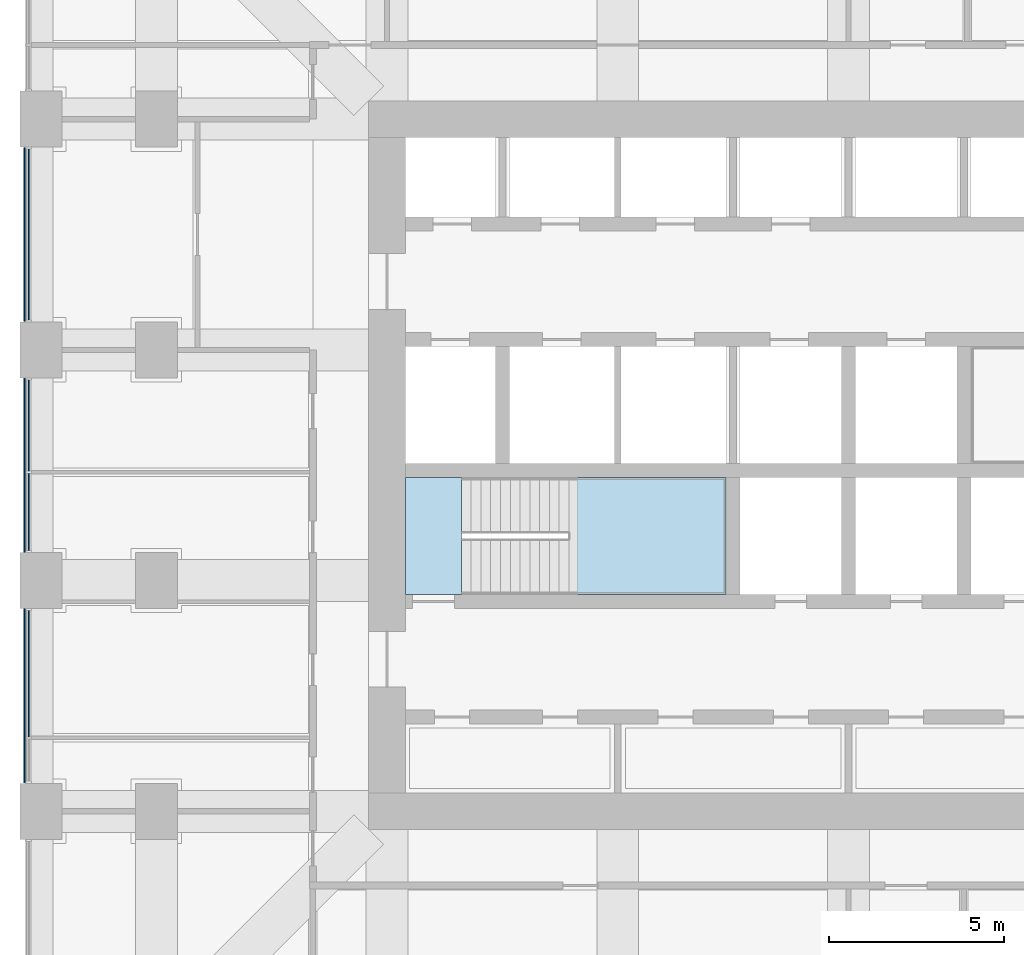
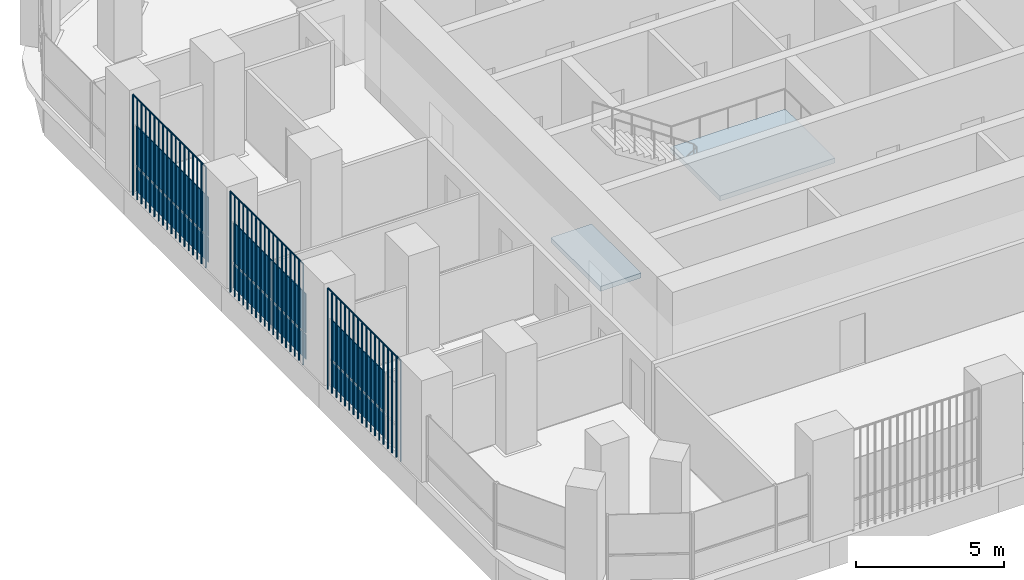
# One storey, part 9 of 19: 11 plates, 2 slabs, 4 elements without a shape of their own.
"""IFC4 building model written with IfcOpenShell, lengths in metres."""

from ifc_helpers import new_model, si_unit, direction, frame, origin, origin_2d, place, context, subcontext, project, spatial, polyline, rectangle, outline, extrude, material, layer, layer_set, type_object, element, aggregate, save


model = new_model("IFC4")

# Units and contexts
model_context = context("Model", 3, precision=1e-05, world=origin(), true_north=direction((0.0, 1.0)))
body_context = subcontext(model_context, "Body", "Model", "MODEL_VIEW")
ifc_project = project(units=[si_unit("LENGTHUNIT", "METRE"), si_unit("AREAUNIT", "SQUARE_METRE"), si_unit("VOLUMEUNIT", "CUBIC_METRE"), si_unit("PLANEANGLEUNIT", "RADIAN"), si_unit("MASSUNIT", "GRAM", prefix="KILO")], contexts=[model_context])

# Site, building, storey
site_placement = place(None, origin())
site = spatial("IfcSite", under=ifc_project, at=site_placement, CompositionType="ELEMENT")
building_placement = place(site_placement, origin())
building = spatial("IfcBuilding", under=site, at=building_placement, Name="Cobogo Forest Laboratory Tower", CompositionType="ELEMENT")
storey_placement = place(building_placement, frame((0.0, 0.0, 172.5)))
storey = spatial("IfcBuildingStorey", under=building, at=storey_placement, Name="L39", CompositionType="ELEMENT", Elevation=172.5)

# Curtain wall, plates
ifc_material_1 = material(Name="Aluminium curtain wall", Category="aluminium")
curtain_wall_type = type_object("IfcCurtainWallType", Name="CW-2 unitised curtain wall, solar control glazing, laboratory floors zones C and D", PredefinedType="USERDEFINED", material=ifc_material_1)
curtain_wall_1_placement = place(storey_placement, origin())
curtain_wall_1 = element("IfcCurtainWall", 1, at=curtain_wall_1_placement, inside=storey, type_object=curtain_wall_type, Name="Curtain wall 25 L39", ObjectType="UNITISED CURTAIN WALL", PredefinedType="USERDEFINED")
ifc_material_2 = material(Name="Solar control insulated glass", Category="glass")
ifc_layer_1 = layer(ifc_material_2, 0.031982421875)
ifc_layer_set_1 = layer_set([ifc_layer_1], Name="GP-2 solar control glass unit 32")
plate_type_1 = type_object("IfcPlateType", Name="GP-2 solar control glass unit 32", PredefinedType="CURTAIN_PANEL", material=ifc_layer_set_1)
plate_1_placement = place(storey_placement, frame((2.949951171875, 29.699951171875, 0.0), z_axis=(0.0, 0.0, 1.0), x_axis=(0.0, -1.0, 0.0)))
plate_1 = element("IfcPlate", 2, at=plate_1_placement, type_object=plate_type_1, Name="CW-2 panel 1.1", PredefinedType="CURTAIN_PANEL", context=body_context, shape_type="SweptSolid", body=[
    extrude(rectangle(XDim=4.8798828125, YDim=0.031982421875, at=origin_2d()), origin(), (0.0, 0.0, 1.0), 1.02001953125),
])
plate_2_placement = place(storey_placement, frame((2.949951171875, 29.699951171875, 1.079833984375), z_axis=(0.0, 0.0, 1.0), x_axis=(0.0, -1.0, 0.0)))
plate_2 = element("IfcPlate", 3, at=plate_2_placement, type_object=plate_type_1, Name="CW-2 panel 1.2", PredefinedType="CURTAIN_PANEL", context=body_context, shape_type="SweptSolid", body=[
    extrude(rectangle(XDim=4.8798828125, YDim=0.031982421875, at=origin_2d()), origin(), (0.0, 0.0, 1.0), 1.6201171875),
])
aggregate(curtain_wall_1, [plate_1, plate_2])

curtain_wall_2_placement = place(storey_placement, origin())
curtain_wall_2 = element("IfcCurtainWall", 4, at=curtain_wall_2_placement, inside=storey, type_object=curtain_wall_type, Name="Curtain wall 26 L39", ObjectType="UNITISED CURTAIN WALL", PredefinedType="USERDEFINED")
plate_3_placement = place(storey_placement, frame((2.949951171875, 24.235107421875, 0.0), z_axis=(0.0, 0.0, 1.0), x_axis=(0.0, -1.0, 0.0)))
plate_3 = element("IfcPlate", 5, at=plate_3_placement, type_object=plate_type_1, Name="CW-2 panel 1.1", PredefinedType="CURTAIN_PANEL", context=body_context, shape_type="SweptSolid", body=[
    extrude(rectangle(XDim=2.610107421875, YDim=0.031982421875, at=origin_2d()), origin(), (0.0, 0.0, 1.0), 1.02001953125),
])
plate_4_placement = place(storey_placement, frame((2.949951171875, 24.235107421875, 1.079833984375), z_axis=(0.0, 0.0, 1.0), x_axis=(0.0, -1.0, 0.0)))
plate_4 = element("IfcPlate", 6, at=plate_4_placement, type_object=plate_type_1, Name="CW-2 panel 1.2", PredefinedType="CURTAIN_PANEL", context=body_context, shape_type="SweptSolid", body=[
    extrude(rectangle(XDim=2.610107421875, YDim=0.031982421875, at=origin_2d()), origin(), (0.0, 0.0, 1.0), 1.6201171875),
])
plate_5_placement = place(storey_placement, frame((2.949951171875, 21.764892578125, 0.0), z_axis=(0.0, 0.0, 1.0), x_axis=(0.0, -1.0, 0.0)))
plate_5 = element("IfcPlate", 7, at=plate_5_placement, type_object=plate_type_1, Name="CW-2 panel 2.1", PredefinedType="CURTAIN_PANEL", context=body_context, shape_type="SweptSolid", body=[
    extrude(rectangle(XDim=2.2099609375, YDim=0.031982421875, at=origin_2d()), origin(), (0.0, 0.0, 1.0), 1.02001953125),
])
plate_6_placement = place(storey_placement, frame((2.949951171875, 21.764892578125, 1.079833984375), z_axis=(0.0, 0.0, 1.0), x_axis=(0.0, -1.0, 0.0)))
plate_6 = element("IfcPlate", 8, at=plate_6_placement, type_object=plate_type_1, Name="CW-2 panel 2.2", PredefinedType="CURTAIN_PANEL", context=body_context, shape_type="SweptSolid", body=[
    extrude(rectangle(XDim=2.2099609375, YDim=0.031982421875, at=origin_2d()), origin(), (0.0, 0.0, 1.0), 1.6201171875),
])
aggregate(curtain_wall_2, [plate_3, plate_4, plate_5, plate_6])

curtain_wall_3_placement = place(storey_placement, origin())
curtain_wall_3 = element("IfcCurtainWall", 9, at=curtain_wall_3_placement, inside=storey, type_object=curtain_wall_type, Name="Curtain wall 27 L39", ObjectType="UNITISED CURTAIN WALL", PredefinedType="USERDEFINED")
plate_7_placement = place(storey_placement, frame((2.949951171875, 17.135009765625, 0.0), z_axis=(0.0, 0.0, 1.0), x_axis=(0.0, -1.0, 0.0)))
plate_7 = element("IfcPlate", 10, at=plate_7_placement, type_object=plate_type_1, Name="CW-2 panel 1.1", PredefinedType="CURTAIN_PANEL", context=body_context, shape_type="SweptSolid", body=[
    extrude(rectangle(XDim=3.610107421875, YDim=0.031982421875, at=origin_2d()), origin(), (0.0, 0.0, 1.0), 1.02001953125),
])
plate_8_placement = place(storey_placement, frame((2.949951171875, 17.135009765625, 1.079833984375), z_axis=(0.0, 0.0, 1.0), x_axis=(0.0, -1.0, 0.0)))
plate_8 = element("IfcPlate", 11, at=plate_8_placement, type_object=plate_type_1, Name="CW-2 panel 1.2", PredefinedType="CURTAIN_PANEL", context=body_context, shape_type="SweptSolid", body=[
    extrude(rectangle(XDim=3.610107421875, YDim=0.031982421875, at=origin_2d()), origin(), (0.0, 0.0, 1.0), 1.6201171875),
])
aggregate(curtain_wall_3, [plate_7, plate_8])

# Stair, slabs
ifc_material_3 = material(Name="Precast concrete HA-40 (C40/50)", Category="concrete")
stair_type = type_object("IfcStairType", Name="ST24 exit stair 24 risers", PredefinedType="HALF_TURN_STAIR", material=ifc_material_3)
stair_placement = place(storey_placement, origin())
stair = element("IfcStair", 12, at=stair_placement, inside=storey, type_object=stair_type, Name="Stair 1 L39 to L40", PredefinedType="HALF_TURN_STAIR")
ifc_material_4 = material(Name="Concrete HA-40 (C40/50)", Category="concrete")
ifc_layer_2 = layer(ifc_material_4, 0.199951171875)
ifc_layer_set_2 = layer_set([ifc_layer_2], Name="SL stair landing 200")
slab_type = type_object("IfcSlabType", Name="SL stair landing 200", PredefinedType="LANDING", material=ifc_layer_set_2)
slab_1_placement = place(storey_placement, frame((0.0, 0.0, -0.199951171875)))
slab_1 = element("IfcSlab", 13, at=slab_1_placement, type_object=slab_type, Name="ST1 landing 1", PredefinedType="LANDING", context=body_context, shape_type="SweptSolid", body=[
    extrude(outline(polyline([(13.72509765625, 19.39990234375), (15.326904296875, 19.39990234375), (15.326904296875, 22.75), (13.72509765625, 22.75), (13.72509765625, 19.39990234375)])), origin(), (0.0, 0.0, 1.0), 0.199951171875),
])
slab_2_placement = place(storey_placement, frame((0.0, 0.0, 1.89990234375)))
slab_2 = element("IfcSlab", 14, at=slab_2_placement, type_object=slab_type, Name="ST1 landing 2", PredefinedType="LANDING", context=body_context, shape_type="SweptSolid", body=[
    extrude(outline(polyline([(18.403076171875, 19.39990234375), (22.89990234375, 19.39990234375), (22.89990234375, 22.75), (18.403076171875, 22.75), (18.403076171875, 19.39990234375)])), origin(), (0.0, 0.0, 1.0), 0.2001953125),
])
aggregate(stair, [slab_1, slab_2])

# Plates
ifc_material_5 = material(Name="Terracotta", Category="masonry")
plate_type_2 = type_object("IfcPlateType", Name="TB1 terracotta baguette screen", PredefinedType="USERDEFINED", material=ifc_material_5)
plate_9_placement = place(storey_placement, frame((2.822021484375, 14.03125, -0.14990234375)))
element("IfcPlate", 15, at=plate_9_placement, inside=storey, type_object=plate_type_2, Name="Baguette screen W1 L39", ObjectType="BAGUETTE SCREEN", PredefinedType="USERDEFINED", context=body_context, shape_type="SweptSolid", body=[
    extrude(outline(polyline([(0.02880859375, 0.011962890625), (0.011962890625, 0.02880859375), (-0.011962890625, 0.02880859375), (-0.02880859375, 0.011962890625), (-0.02880859375, -0.011962890625), (-0.011962890625, -0.02880859375), (0.011962890625, -0.02880859375), (0.02880859375, -0.011962890625), (0.02880859375, 0.011962890625)])), frame((0.0, 0.0, 4.168701171875), z_axis=(0.0, 1.0, 0.0), x_axis=(-1.0, 0.0, 0.0)), (0.0, 0.0, 1.0), 4.9375),
    extrude(outline(polyline([(0.02880859375, 0.011962890625), (0.011962890625, 0.02880859375), (-0.011962890625, 0.02880859375), (-0.02880859375, 0.011962890625), (-0.02880859375, -0.011962890625), (-0.011962890625, -0.02880859375), (0.011962890625, -0.02880859375), (0.02880859375, -0.011962890625), (0.02880859375, 0.011962890625)])), origin(), (0.0, 0.0, 1.0), 4.137451171875),
    extrude(outline(polyline([(0.02880859375, 0.011962890625), (0.011962890625, 0.02880859375), (-0.011962890625, 0.02880859375), (-0.02880859375, 0.011962890625), (-0.02880859375, -0.011962890625), (-0.011962890625, -0.02880859375), (0.011962890625, -0.02880859375), (0.02880859375, -0.011962890625), (0.02880859375, 0.011962890625)])), frame((0.0, 0.29052734375, 0.0)), (0.0, 0.0, 1.0), 4.137451171875),
    extrude(outline(polyline([(0.02880859375, 0.011962890625), (0.011962890625, 0.02880859375), (-0.011962890625, 0.02880859375), (-0.02880859375, 0.011962890625), (-0.02880859375, -0.011962890625), (-0.011962890625, -0.02880859375), (0.011962890625, -0.02880859375), (0.02880859375, -0.011962890625), (0.02880859375, 0.011962890625)])), frame((0.0, 0.580810546875, 0.0)), (0.0, 0.0, 1.0), 4.137451171875),
    extrude(outline(polyline([(0.02880859375, 0.011962890625), (0.011962890625, 0.02880859375), (-0.011962890625, 0.02880859375), (-0.02880859375, 0.011962890625), (-0.02880859375, -0.011962890625), (-0.011962890625, -0.02880859375), (0.011962890625, -0.02880859375), (0.02880859375, -0.011962890625), (0.02880859375, 0.011962890625)])), frame((0.0, 0.871337890625, 0.0)), (0.0, 0.0, 1.0), 4.137451171875),
    extrude(outline(polyline([(0.02880859375, 0.011962890625), (0.011962890625, 0.02880859375), (-0.011962890625, 0.02880859375), (-0.02880859375, 0.011962890625), (-0.02880859375, -0.011962890625), (-0.011962890625, -0.02880859375), (0.011962890625, -0.02880859375), (0.02880859375, -0.011962890625), (0.02880859375, 0.011962890625)])), frame((0.0, 1.161865234375, 0.0)), (0.0, 0.0, 1.0), 4.137451171875),
    extrude(outline(polyline([(0.02880859375, 0.011962890625), (0.011962890625, 0.02880859375), (-0.011962890625, 0.02880859375), (-0.02880859375, 0.011962890625), (-0.02880859375, -0.011962890625), (-0.011962890625, -0.02880859375), (0.011962890625, -0.02880859375), (0.02880859375, -0.011962890625), (0.02880859375, 0.011962890625)])), frame((0.0, 1.4521484375, 0.0)), (0.0, 0.0, 1.0), 4.137451171875),
    extrude(outline(polyline([(0.02880859375, 0.011962890625), (0.011962890625, 0.02880859375), (-0.011962890625, 0.02880859375), (-0.02880859375, 0.011962890625), (-0.02880859375, -0.011962890625), (-0.011962890625, -0.02880859375), (0.011962890625, -0.02880859375), (0.02880859375, -0.011962890625), (0.02880859375, 0.011962890625)])), frame((0.0, 1.74267578125, 0.0)), (0.0, 0.0, 1.0), 4.137451171875),
    extrude(outline(polyline([(0.02880859375, 0.011962890625), (0.011962890625, 0.02880859375), (-0.011962890625, 0.02880859375), (-0.02880859375, 0.011962890625), (-0.02880859375, -0.011962890625), (-0.011962890625, -0.02880859375), (0.011962890625, -0.02880859375), (0.02880859375, -0.011962890625), (0.02880859375, 0.011962890625)])), frame((0.0, 2.033203125, 0.0)), (0.0, 0.0, 1.0), 4.137451171875),
    extrude(outline(polyline([(0.02880859375, 0.011962890625), (0.011962890625, 0.02880859375), (-0.011962890625, 0.02880859375), (-0.02880859375, 0.011962890625), (-0.02880859375, -0.011962890625), (-0.011962890625, -0.02880859375), (0.011962890625, -0.02880859375), (0.02880859375, -0.011962890625), (0.02880859375, 0.011962890625)])), frame((0.0, 2.323486328125, 0.0)), (0.0, 0.0, 1.0), 4.137451171875),
    extrude(outline(polyline([(0.02880859375, 0.011962890625), (0.011962890625, 0.02880859375), (-0.011962890625, 0.02880859375), (-0.02880859375, 0.011962890625), (-0.02880859375, -0.011962890625), (-0.011962890625, -0.02880859375), (0.011962890625, -0.02880859375), (0.02880859375, -0.011962890625), (0.02880859375, 0.011962890625)])), frame((0.0, 2.614013671875, 0.0)), (0.0, 0.0, 1.0), 4.137451171875),
    extrude(outline(polyline([(0.02880859375, 0.011962890625), (0.011962890625, 0.02880859375), (-0.011962890625, 0.02880859375), (-0.02880859375, 0.011962890625), (-0.02880859375, -0.011962890625), (-0.011962890625, -0.02880859375), (0.011962890625, -0.02880859375), (0.02880859375, -0.011962890625), (0.02880859375, 0.011962890625)])), frame((0.0, 2.904296875, 0.0)), (0.0, 0.0, 1.0), 4.137451171875),
    extrude(outline(polyline([(0.02880859375, 0.011962890625), (0.011962890625, 0.02880859375), (-0.011962890625, 0.02880859375), (-0.02880859375, 0.011962890625), (-0.02880859375, -0.011962890625), (-0.011962890625, -0.02880859375), (0.011962890625, -0.02880859375), (0.02880859375, -0.011962890625), (0.02880859375, 0.011962890625)])), frame((0.0, 3.19482421875, 0.0)), (0.0, 0.0, 1.0), 4.137451171875),
    extrude(outline(polyline([(0.02880859375, 0.011962890625), (0.011962890625, 0.02880859375), (-0.011962890625, 0.02880859375), (-0.02880859375, 0.011962890625), (-0.02880859375, -0.011962890625), (-0.011962890625, -0.02880859375), (0.011962890625, -0.02880859375), (0.02880859375, -0.011962890625), (0.02880859375, 0.011962890625)])), frame((0.0, 3.4853515625, 0.0)), (0.0, 0.0, 1.0), 4.137451171875),
    extrude(outline(polyline([(0.02880859375, 0.011962890625), (0.011962890625, 0.02880859375), (-0.011962890625, 0.02880859375), (-0.02880859375, 0.011962890625), (-0.02880859375, -0.011962890625), (-0.011962890625, -0.02880859375), (0.011962890625, -0.02880859375), (0.02880859375, -0.011962890625), (0.02880859375, 0.011962890625)])), frame((0.0, 3.775634765625, 0.0)), (0.0, 0.0, 1.0), 4.137451171875),
    extrude(outline(polyline([(0.02880859375, 0.011962890625), (0.011962890625, 0.02880859375), (-0.011962890625, 0.02880859375), (-0.02880859375, 0.011962890625), (-0.02880859375, -0.011962890625), (-0.011962890625, -0.02880859375), (0.011962890625, -0.02880859375), (0.02880859375, -0.011962890625), (0.02880859375, 0.011962890625)])), frame((0.0, 4.066162109375, 0.0)), (0.0, 0.0, 1.0), 4.137451171875),
    extrude(outline(polyline([(0.02880859375, 0.011962890625), (0.011962890625, 0.02880859375), (-0.011962890625, 0.02880859375), (-0.02880859375, 0.011962890625), (-0.02880859375, -0.011962890625), (-0.011962890625, -0.02880859375), (0.011962890625, -0.02880859375), (0.02880859375, -0.011962890625), (0.02880859375, 0.011962890625)])), frame((0.0, 4.356689453125, 0.0)), (0.0, 0.0, 1.0), 4.137451171875),
    extrude(outline(polyline([(0.02880859375, 0.011962890625), (0.011962890625, 0.02880859375), (-0.011962890625, 0.02880859375), (-0.02880859375, 0.011962890625), (-0.02880859375, -0.011962890625), (-0.011962890625, -0.02880859375), (0.011962890625, -0.02880859375), (0.02880859375, -0.011962890625), (0.02880859375, 0.011962890625)])), frame((0.0, 4.64697265625, 0.0)), (0.0, 0.0, 1.0), 4.137451171875),
    extrude(outline(polyline([(0.02880859375, 0.011962890625), (0.011962890625, 0.02880859375), (-0.011962890625, 0.02880859375), (-0.02880859375, 0.011962890625), (-0.02880859375, -0.011962890625), (-0.011962890625, -0.02880859375), (0.011962890625, -0.02880859375), (0.02880859375, -0.011962890625), (0.02880859375, 0.011962890625)])), frame((0.0, 4.9375, 0.0)), (0.0, 0.0, 1.0), 4.137451171875),
])
plate_10_placement = place(storey_placement, frame((2.822021484375, 20.63134765625, -0.14990234375)))
element("IfcPlate", 16, at=plate_10_placement, inside=storey, type_object=plate_type_2, Name="Baguette screen W2 L39", ObjectType="BAGUETTE SCREEN", PredefinedType="USERDEFINED", context=body_context, shape_type="SweptSolid", body=[
    extrude(outline(polyline([(0.02880859375, 0.011962890625), (0.011962890625, 0.02880859375), (-0.011962890625, 0.02880859375), (-0.02880859375, 0.011962890625), (-0.02880859375, -0.011962890625), (-0.011962890625, -0.02880859375), (0.011962890625, -0.02880859375), (0.02880859375, -0.011962890625), (0.02880859375, 0.011962890625)])), frame((0.0, 0.0, 4.168701171875), z_axis=(0.0, 1.0, 0.0), x_axis=(-1.0, 0.0, 0.0)), (0.0, 0.0, 1.0), 4.9375),
    extrude(outline(polyline([(0.02880859375, 0.011962890625), (0.011962890625, 0.02880859375), (-0.011962890625, 0.02880859375), (-0.02880859375, 0.011962890625), (-0.02880859375, -0.011962890625), (-0.011962890625, -0.02880859375), (0.011962890625, -0.02880859375), (0.02880859375, -0.011962890625), (0.02880859375, 0.011962890625)])), origin(), (0.0, 0.0, 1.0), 4.137451171875),
    extrude(outline(polyline([(0.02880859375, 0.011962890625), (0.011962890625, 0.02880859375), (-0.011962890625, 0.02880859375), (-0.02880859375, 0.011962890625), (-0.02880859375, -0.011962890625), (-0.011962890625, -0.02880859375), (0.011962890625, -0.02880859375), (0.02880859375, -0.011962890625), (0.02880859375, 0.011962890625)])), frame((0.0, 0.29052734375, 0.0)), (0.0, 0.0, 1.0), 4.137451171875),
    extrude(outline(polyline([(0.02880859375, 0.011962890625), (0.011962890625, 0.02880859375), (-0.011962890625, 0.02880859375), (-0.02880859375, 0.011962890625), (-0.02880859375, -0.011962890625), (-0.011962890625, -0.02880859375), (0.011962890625, -0.02880859375), (0.02880859375, -0.011962890625), (0.02880859375, 0.011962890625)])), frame((0.0, 0.580810546875, 0.0)), (0.0, 0.0, 1.0), 4.137451171875),
    extrude(outline(polyline([(0.02880859375, 0.011962890625), (0.011962890625, 0.02880859375), (-0.011962890625, 0.02880859375), (-0.02880859375, 0.011962890625), (-0.02880859375, -0.011962890625), (-0.011962890625, -0.02880859375), (0.011962890625, -0.02880859375), (0.02880859375, -0.011962890625), (0.02880859375, 0.011962890625)])), frame((0.0, 0.871337890625, 0.0)), (0.0, 0.0, 1.0), 4.137451171875),
    extrude(outline(polyline([(0.02880859375, 0.011962890625), (0.011962890625, 0.02880859375), (-0.011962890625, 0.02880859375), (-0.02880859375, 0.011962890625), (-0.02880859375, -0.011962890625), (-0.011962890625, -0.02880859375), (0.011962890625, -0.02880859375), (0.02880859375, -0.011962890625), (0.02880859375, 0.011962890625)])), frame((0.0, 1.161865234375, 0.0)), (0.0, 0.0, 1.0), 4.137451171875),
    extrude(outline(polyline([(0.02880859375, 0.011962890625), (0.011962890625, 0.02880859375), (-0.011962890625, 0.02880859375), (-0.02880859375, 0.011962890625), (-0.02880859375, -0.011962890625), (-0.011962890625, -0.02880859375), (0.011962890625, -0.02880859375), (0.02880859375, -0.011962890625), (0.02880859375, 0.011962890625)])), frame((0.0, 1.4521484375, 0.0)), (0.0, 0.0, 1.0), 4.137451171875),
    extrude(outline(polyline([(0.02880859375, 0.011962890625), (0.011962890625, 0.02880859375), (-0.011962890625, 0.02880859375), (-0.02880859375, 0.011962890625), (-0.02880859375, -0.011962890625), (-0.011962890625, -0.02880859375), (0.011962890625, -0.02880859375), (0.02880859375, -0.011962890625), (0.02880859375, 0.011962890625)])), frame((0.0, 1.74267578125, 0.0)), (0.0, 0.0, 1.0), 4.137451171875),
    extrude(outline(polyline([(0.02880859375, 0.011962890625), (0.011962890625, 0.02880859375), (-0.011962890625, 0.02880859375), (-0.02880859375, 0.011962890625), (-0.02880859375, -0.011962890625), (-0.011962890625, -0.02880859375), (0.011962890625, -0.02880859375), (0.02880859375, -0.011962890625), (0.02880859375, 0.011962890625)])), frame((0.0, 2.033203125, 0.0)), (0.0, 0.0, 1.0), 4.137451171875),
    extrude(outline(polyline([(0.02880859375, 0.011962890625), (0.011962890625, 0.02880859375), (-0.011962890625, 0.02880859375), (-0.02880859375, 0.011962890625), (-0.02880859375, -0.011962890625), (-0.011962890625, -0.02880859375), (0.011962890625, -0.02880859375), (0.02880859375, -0.011962890625), (0.02880859375, 0.011962890625)])), frame((0.0, 2.323486328125, 0.0)), (0.0, 0.0, 1.0), 4.137451171875),
    extrude(outline(polyline([(0.02880859375, 0.011962890625), (0.011962890625, 0.02880859375), (-0.011962890625, 0.02880859375), (-0.02880859375, 0.011962890625), (-0.02880859375, -0.011962890625), (-0.011962890625, -0.02880859375), (0.011962890625, -0.02880859375), (0.02880859375, -0.011962890625), (0.02880859375, 0.011962890625)])), frame((0.0, 2.614013671875, 0.0)), (0.0, 0.0, 1.0), 4.137451171875),
    extrude(outline(polyline([(0.02880859375, 0.011962890625), (0.011962890625, 0.02880859375), (-0.011962890625, 0.02880859375), (-0.02880859375, 0.011962890625), (-0.02880859375, -0.011962890625), (-0.011962890625, -0.02880859375), (0.011962890625, -0.02880859375), (0.02880859375, -0.011962890625), (0.02880859375, 0.011962890625)])), frame((0.0, 2.904296875, 0.0)), (0.0, 0.0, 1.0), 4.137451171875),
    extrude(outline(polyline([(0.02880859375, 0.011962890625), (0.011962890625, 0.02880859375), (-0.011962890625, 0.02880859375), (-0.02880859375, 0.011962890625), (-0.02880859375, -0.011962890625), (-0.011962890625, -0.02880859375), (0.011962890625, -0.02880859375), (0.02880859375, -0.011962890625), (0.02880859375, 0.011962890625)])), frame((0.0, 3.19482421875, 0.0)), (0.0, 0.0, 1.0), 4.137451171875),
    extrude(outline(polyline([(0.02880859375, 0.011962890625), (0.011962890625, 0.02880859375), (-0.011962890625, 0.02880859375), (-0.02880859375, 0.011962890625), (-0.02880859375, -0.011962890625), (-0.011962890625, -0.02880859375), (0.011962890625, -0.02880859375), (0.02880859375, -0.011962890625), (0.02880859375, 0.011962890625)])), frame((0.0, 3.4853515625, 0.0)), (0.0, 0.0, 1.0), 4.137451171875),
    extrude(outline(polyline([(0.02880859375, 0.011962890625), (0.011962890625, 0.02880859375), (-0.011962890625, 0.02880859375), (-0.02880859375, 0.011962890625), (-0.02880859375, -0.011962890625), (-0.011962890625, -0.02880859375), (0.011962890625, -0.02880859375), (0.02880859375, -0.011962890625), (0.02880859375, 0.011962890625)])), frame((0.0, 3.775634765625, 0.0)), (0.0, 0.0, 1.0), 4.137451171875),
    extrude(outline(polyline([(0.02880859375, 0.011962890625), (0.011962890625, 0.02880859375), (-0.011962890625, 0.02880859375), (-0.02880859375, 0.011962890625), (-0.02880859375, -0.011962890625), (-0.011962890625, -0.02880859375), (0.011962890625, -0.02880859375), (0.02880859375, -0.011962890625), (0.02880859375, 0.011962890625)])), frame((0.0, 4.066162109375, 0.0)), (0.0, 0.0, 1.0), 4.137451171875),
    extrude(outline(polyline([(0.02880859375, 0.011962890625), (0.011962890625, 0.02880859375), (-0.011962890625, 0.02880859375), (-0.02880859375, 0.011962890625), (-0.02880859375, -0.011962890625), (-0.011962890625, -0.02880859375), (0.011962890625, -0.02880859375), (0.02880859375, -0.011962890625), (0.02880859375, 0.011962890625)])), frame((0.0, 4.356689453125, 0.0)), (0.0, 0.0, 1.0), 4.137451171875),
    extrude(outline(polyline([(0.02880859375, 0.011962890625), (0.011962890625, 0.02880859375), (-0.011962890625, 0.02880859375), (-0.02880859375, 0.011962890625), (-0.02880859375, -0.011962890625), (-0.011962890625, -0.02880859375), (0.011962890625, -0.02880859375), (0.02880859375, -0.011962890625), (0.02880859375, 0.011962890625)])), frame((0.0, 4.64697265625, 0.0)), (0.0, 0.0, 1.0), 4.137451171875),
    extrude(outline(polyline([(0.02880859375, 0.011962890625), (0.011962890625, 0.02880859375), (-0.011962890625, 0.02880859375), (-0.02880859375, 0.011962890625), (-0.02880859375, -0.011962890625), (-0.011962890625, -0.02880859375), (0.011962890625, -0.02880859375), (0.02880859375, -0.011962890625), (0.02880859375, 0.011962890625)])), frame((0.0, 4.9375, 0.0)), (0.0, 0.0, 1.0), 4.137451171875),
])
plate_11_placement = place(storey_placement, frame((2.822021484375, 27.231201171875, -0.14990234375)))
element("IfcPlate", 17, at=plate_11_placement, inside=storey, type_object=plate_type_2, Name="Baguette screen W3 L39", ObjectType="BAGUETTE SCREEN", PredefinedType="USERDEFINED", context=body_context, shape_type="SweptSolid", body=[
    extrude(outline(polyline([(0.02880859375, 0.011962890625), (0.011962890625, 0.02880859375), (-0.011962890625, 0.02880859375), (-0.02880859375, 0.011962890625), (-0.02880859375, -0.011962890625), (-0.011962890625, -0.02880859375), (0.011962890625, -0.02880859375), (0.02880859375, -0.011962890625), (0.02880859375, 0.011962890625)])), frame((0.0, 0.0, 4.168701171875), z_axis=(0.0, 1.0, 0.0), x_axis=(-1.0, 0.0, 0.0)), (0.0, 0.0, 1.0), 4.9375),
    extrude(outline(polyline([(0.02880859375, 0.011962890625), (0.011962890625, 0.02880859375), (-0.011962890625, 0.02880859375), (-0.02880859375, 0.011962890625), (-0.02880859375, -0.011962890625), (-0.011962890625, -0.02880859375), (0.011962890625, -0.02880859375), (0.02880859375, -0.011962890625), (0.02880859375, 0.011962890625)])), origin(), (0.0, 0.0, 1.0), 4.137451171875),
    extrude(outline(polyline([(0.02880859375, 0.011962890625), (0.011962890625, 0.02880859375), (-0.011962890625, 0.02880859375), (-0.02880859375, 0.011962890625), (-0.02880859375, -0.011962890625), (-0.011962890625, -0.02880859375), (0.011962890625, -0.02880859375), (0.02880859375, -0.011962890625), (0.02880859375, 0.011962890625)])), frame((0.0, 0.29052734375, 0.0)), (0.0, 0.0, 1.0), 4.137451171875),
    extrude(outline(polyline([(0.02880859375, 0.011962890625), (0.011962890625, 0.02880859375), (-0.011962890625, 0.02880859375), (-0.02880859375, 0.011962890625), (-0.02880859375, -0.011962890625), (-0.011962890625, -0.02880859375), (0.011962890625, -0.02880859375), (0.02880859375, -0.011962890625), (0.02880859375, 0.011962890625)])), frame((0.0, 0.580810546875, 0.0)), (0.0, 0.0, 1.0), 4.137451171875),
    extrude(outline(polyline([(0.02880859375, 0.011962890625), (0.011962890625, 0.02880859375), (-0.011962890625, 0.02880859375), (-0.02880859375, 0.011962890625), (-0.02880859375, -0.011962890625), (-0.011962890625, -0.02880859375), (0.011962890625, -0.02880859375), (0.02880859375, -0.011962890625), (0.02880859375, 0.011962890625)])), frame((0.0, 0.871337890625, 0.0)), (0.0, 0.0, 1.0), 4.137451171875),
    extrude(outline(polyline([(0.02880859375, 0.011962890625), (0.011962890625, 0.02880859375), (-0.011962890625, 0.02880859375), (-0.02880859375, 0.011962890625), (-0.02880859375, -0.011962890625), (-0.011962890625, -0.02880859375), (0.011962890625, -0.02880859375), (0.02880859375, -0.011962890625), (0.02880859375, 0.011962890625)])), frame((0.0, 1.161865234375, 0.0)), (0.0, 0.0, 1.0), 4.137451171875),
    extrude(outline(polyline([(0.02880859375, 0.011962890625), (0.011962890625, 0.02880859375), (-0.011962890625, 0.02880859375), (-0.02880859375, 0.011962890625), (-0.02880859375, -0.011962890625), (-0.011962890625, -0.02880859375), (0.011962890625, -0.02880859375), (0.02880859375, -0.011962890625), (0.02880859375, 0.011962890625)])), frame((0.0, 1.4521484375, 0.0)), (0.0, 0.0, 1.0), 4.137451171875),
    extrude(outline(polyline([(0.02880859375, 0.011962890625), (0.011962890625, 0.02880859375), (-0.011962890625, 0.02880859375), (-0.02880859375, 0.011962890625), (-0.02880859375, -0.011962890625), (-0.011962890625, -0.02880859375), (0.011962890625, -0.02880859375), (0.02880859375, -0.011962890625), (0.02880859375, 0.011962890625)])), frame((0.0, 1.74267578125, 0.0)), (0.0, 0.0, 1.0), 4.137451171875),
    extrude(outline(polyline([(0.02880859375, 0.011962890625), (0.011962890625, 0.02880859375), (-0.011962890625, 0.02880859375), (-0.02880859375, 0.011962890625), (-0.02880859375, -0.011962890625), (-0.011962890625, -0.02880859375), (0.011962890625, -0.02880859375), (0.02880859375, -0.011962890625), (0.02880859375, 0.011962890625)])), frame((0.0, 2.033203125, 0.0)), (0.0, 0.0, 1.0), 4.137451171875),
    extrude(outline(polyline([(0.02880859375, 0.011962890625), (0.011962890625, 0.02880859375), (-0.011962890625, 0.02880859375), (-0.02880859375, 0.011962890625), (-0.02880859375, -0.011962890625), (-0.011962890625, -0.02880859375), (0.011962890625, -0.02880859375), (0.02880859375, -0.011962890625), (0.02880859375, 0.011962890625)])), frame((0.0, 2.323486328125, 0.0)), (0.0, 0.0, 1.0), 4.137451171875),
    extrude(outline(polyline([(0.02880859375, 0.011962890625), (0.011962890625, 0.02880859375), (-0.011962890625, 0.02880859375), (-0.02880859375, 0.011962890625), (-0.02880859375, -0.011962890625), (-0.011962890625, -0.02880859375), (0.011962890625, -0.02880859375), (0.02880859375, -0.011962890625), (0.02880859375, 0.011962890625)])), frame((0.0, 2.614013671875, 0.0)), (0.0, 0.0, 1.0), 4.137451171875),
    extrude(outline(polyline([(0.02880859375, 0.011962890625), (0.011962890625, 0.02880859375), (-0.011962890625, 0.02880859375), (-0.02880859375, 0.011962890625), (-0.02880859375, -0.011962890625), (-0.011962890625, -0.02880859375), (0.011962890625, -0.02880859375), (0.02880859375, -0.011962890625), (0.02880859375, 0.011962890625)])), frame((0.0, 2.904296875, 0.0)), (0.0, 0.0, 1.0), 4.137451171875),
    extrude(outline(polyline([(0.02880859375, 0.011962890625), (0.011962890625, 0.02880859375), (-0.011962890625, 0.02880859375), (-0.02880859375, 0.011962890625), (-0.02880859375, -0.011962890625), (-0.011962890625, -0.02880859375), (0.011962890625, -0.02880859375), (0.02880859375, -0.011962890625), (0.02880859375, 0.011962890625)])), frame((0.0, 3.19482421875, 0.0)), (0.0, 0.0, 1.0), 4.137451171875),
    extrude(outline(polyline([(0.02880859375, 0.011962890625), (0.011962890625, 0.02880859375), (-0.011962890625, 0.02880859375), (-0.02880859375, 0.011962890625), (-0.02880859375, -0.011962890625), (-0.011962890625, -0.02880859375), (0.011962890625, -0.02880859375), (0.02880859375, -0.011962890625), (0.02880859375, 0.011962890625)])), frame((0.0, 3.4853515625, 0.0)), (0.0, 0.0, 1.0), 4.137451171875),
    extrude(outline(polyline([(0.02880859375, 0.011962890625), (0.011962890625, 0.02880859375), (-0.011962890625, 0.02880859375), (-0.02880859375, 0.011962890625), (-0.02880859375, -0.011962890625), (-0.011962890625, -0.02880859375), (0.011962890625, -0.02880859375), (0.02880859375, -0.011962890625), (0.02880859375, 0.011962890625)])), frame((0.0, 3.775634765625, 0.0)), (0.0, 0.0, 1.0), 4.137451171875),
    extrude(outline(polyline([(0.02880859375, 0.011962890625), (0.011962890625, 0.02880859375), (-0.011962890625, 0.02880859375), (-0.02880859375, 0.011962890625), (-0.02880859375, -0.011962890625), (-0.011962890625, -0.02880859375), (0.011962890625, -0.02880859375), (0.02880859375, -0.011962890625), (0.02880859375, 0.011962890625)])), frame((0.0, 4.066162109375, 0.0)), (0.0, 0.0, 1.0), 4.137451171875),
    extrude(outline(polyline([(0.02880859375, 0.011962890625), (0.011962890625, 0.02880859375), (-0.011962890625, 0.02880859375), (-0.02880859375, 0.011962890625), (-0.02880859375, -0.011962890625), (-0.011962890625, -0.02880859375), (0.011962890625, -0.02880859375), (0.02880859375, -0.011962890625), (0.02880859375, 0.011962890625)])), frame((0.0, 4.356689453125, 0.0)), (0.0, 0.0, 1.0), 4.137451171875),
    extrude(outline(polyline([(0.02880859375, 0.011962890625), (0.011962890625, 0.02880859375), (-0.011962890625, 0.02880859375), (-0.02880859375, 0.011962890625), (-0.02880859375, -0.011962890625), (-0.011962890625, -0.02880859375), (0.011962890625, -0.02880859375), (0.02880859375, -0.011962890625), (0.02880859375, 0.011962890625)])), frame((0.0, 4.64697265625, 0.0)), (0.0, 0.0, 1.0), 4.137451171875),
    extrude(outline(polyline([(0.02880859375, 0.011962890625), (0.011962890625, 0.02880859375), (-0.011962890625, 0.02880859375), (-0.02880859375, 0.011962890625), (-0.02880859375, -0.011962890625), (-0.011962890625, -0.02880859375), (0.011962890625, -0.02880859375), (0.02880859375, -0.011962890625), (0.02880859375, 0.011962890625)])), frame((0.0, 4.9375, 0.0)), (0.0, 0.0, 1.0), 4.137451171875),
])

save(model, "model.ifc")
